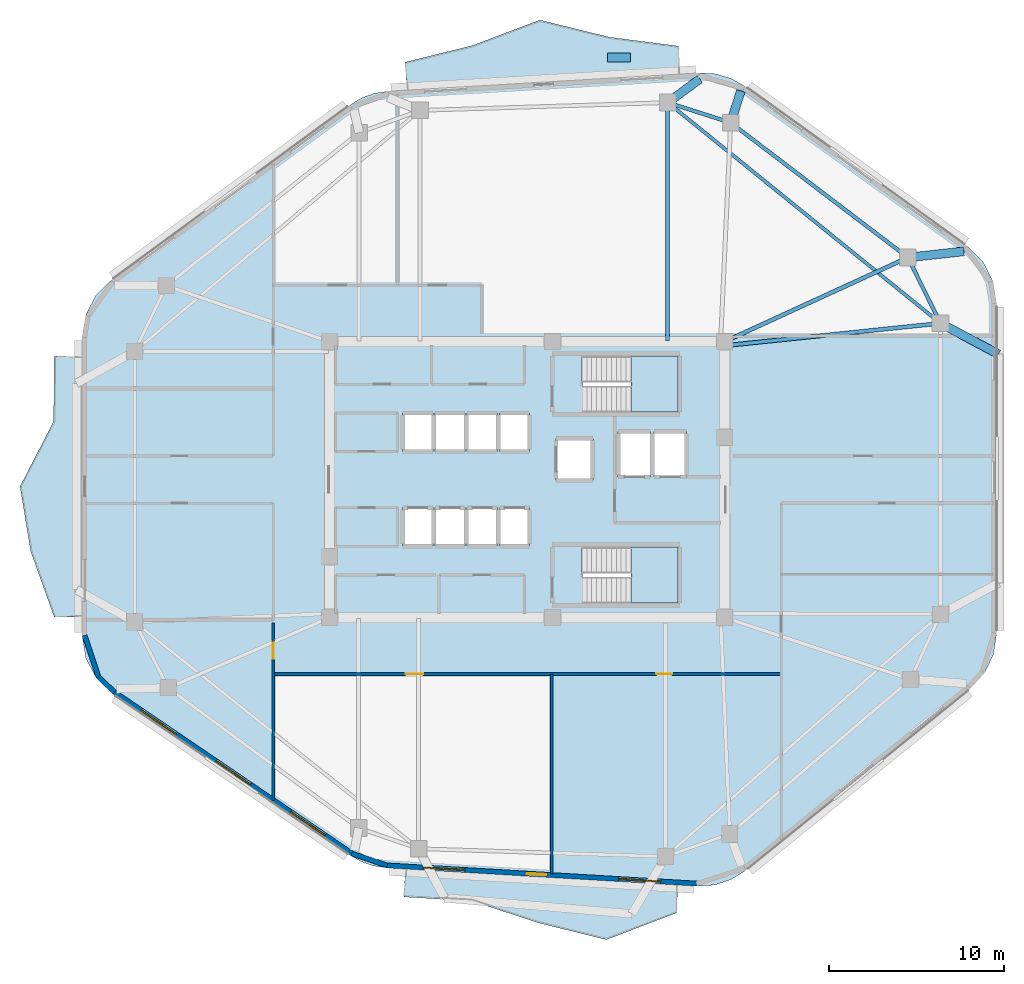
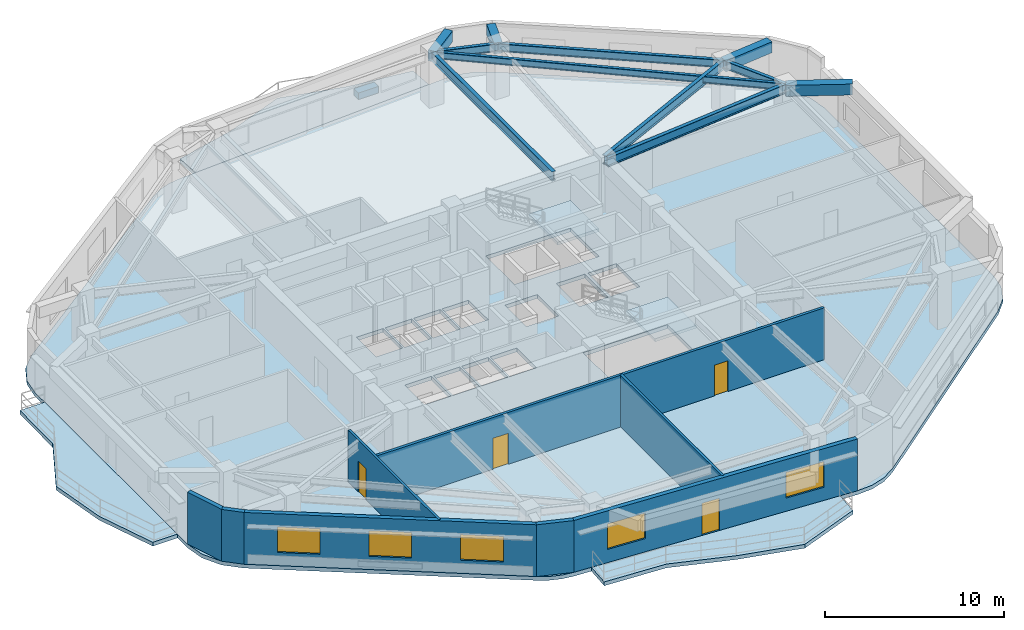
# One storey, part 2 of 9: 11 beams, 8 walls, 6 slabs, 5 windows, 4 doors, 1 plate, 9 openings, 2 elements without a shape of their own.
"""IFC4 building model written with IfcOpenShell, lengths in metres."""

from ifc_helpers import new_model, si_unit, direction, frame, frame_2d, origin, origin_2d, place, context, subcontext, project, spatial, polyline, rectangle, i_section, outline, extrude, material, layer, layer_set, material_profile, profile_set, type_object, element, fill, aggregate, save


model = new_model("IFC4")

# Units and contexts
model_context = context("Model", 3, precision=1e-05, world=origin(), true_north=direction((0.0, 1.0)))
body_context = subcontext(model_context, "Body", "Model", "MODEL_VIEW")
ifc_project = project(units=[si_unit("LENGTHUNIT", "METRE"), si_unit("AREAUNIT", "SQUARE_METRE"), si_unit("VOLUMEUNIT", "CUBIC_METRE"), si_unit("PLANEANGLEUNIT", "RADIAN"), si_unit("MASSUNIT", "GRAM", prefix="KILO")], contexts=[model_context])

# Site, building, storey
site_placement = place(None, origin())
site = spatial("IfcSite", under=ifc_project, at=site_placement, CompositionType="ELEMENT")
building_placement = place(site_placement, origin())
building = spatial("IfcBuilding", under=site, at=building_placement, Name="Zulverin Broadcast Headquarters", CompositionType="ELEMENT")
storey_placement = place(building_placement, frame((0.0, 0.0, 212.39990234375)))
storey = spatial("IfcBuildingStorey", under=building, at=storey_placement, Name="L54", CompositionType="ELEMENT", Elevation=212.39990234375)

# Beams
ifc_material_1 = material(Name="Concrete C40/50", Category="concrete")
ifc_material_profile_1 = material_profile(ifc_material_1, rectangle(XDim=0.5, YDim=0.75, at=origin_2d()), Name="Concrete C40/50", Category="concrete")
ifc_profile_set_1 = profile_set([ifc_material_profile_1], Name="Concrete C40/50")
beam_type_1 = type_object("IfcBeamType", Name="BM-RC-500x750", PredefinedType="BEAM", material=ifc_profile_set_1)
beam_1_placement = place(storey_placement, frame((58.738037109375, 37.877685546875, 3.1650390625), z_axis=(0.994004521098, 0.109338977669, 0.0), x_axis=(-0.109338977669, 0.994004521098, 0.0)))
element("IfcBeam", 1, at=beam_1_placement, inside=storey, type_object=beam_type_1, Name="L55 Plate Overhang Back-Spanned Beam OVR-07", PredefinedType="BEAM", context=body_context, shape_type="SweptSolid", body=[
    extrude(rectangle(XDim=0.5, YDim=0.75, at=origin_2d()), origin(), (0.0, 0.0, 1.0), 3.213134765625),
])
beam_2_placement = place(storey_placement, frame((48.62158203125, 45.574951171875, 3.1650390625), z_axis=(0.306395409062, 0.951904329912, 0.0), x_axis=(-0.951904329912, 0.306395409062, 0.0)))
element("IfcBeam", 2, at=beam_2_placement, inside=storey, type_object=beam_type_1, Name="L55 Plate Overhang Back-Spanned Beam OVR-08", PredefinedType="BEAM", context=body_context, shape_type="SweptSolid", body=[
    extrude(rectangle(XDim=0.5, YDim=0.75, at=origin_2d()), origin(), (0.0, 0.0, 1.0), 1.90283203125),
])
beam_3_placement = place(storey_placement, frame((45.027587890625, 46.7236328125, 3.1650390625), z_axis=(0.806251175009, 0.591573362143, 0.0), x_axis=(-0.591573362143, 0.806251175009, 0.0)))
element("IfcBeam", 3, at=beam_3_placement, inside=storey, type_object=beam_type_1, Name="L55 Plate Overhang Back-Spanned Beam OVR-09", PredefinedType="BEAM", context=body_context, shape_type="SweptSolid", body=[
    extrude(rectangle(XDim=0.5, YDim=0.75, at=origin_2d()), origin(), (0.0, 0.0, 1.0), 2.27099609375),
])
beam_4_placement = place(storey_placement, frame((60.60009765625, 34.12158203125, 3.1650390625), z_axis=(0.882538495397, -0.470240155817, 0.0), x_axis=(0.470240155817, 0.882538495397, 0.0)))
element("IfcBeam", 4, at=beam_4_placement, inside=storey, type_object=beam_type_1, Name="L55 Balcony Column-Framed Cantilever BAL_E-2", PredefinedType="BEAM", context=body_context, shape_type="SweptSolid", body=[
    extrude(rectangle(XDim=0.5, YDim=0.75, at=origin_2d()), origin(), (0.0, 0.0, 1.0), 3.75),
])
ifc_material_2 = material(Name="Structural steel S355JR", Category="steel")
ifc_material_profile_2 = material_profile(ifc_material_2, i_section(OverallWidth=0.19287109375, OverallDepth=0.46728515625, WebThickness=0.011474609375, FlangeThickness=0.01953125, at=origin_2d()), Name="Structural steel S355JR", Category="steel")
ifc_profile_set_2 = profile_set([ifc_material_profile_2], Name="Structural steel S355JR")
beam_type_2 = type_object("IfcBeamType", Name="BM-UB-457", PredefinedType="JOIST", material=ifc_profile_set_2)
beam_5_placement = place(storey_placement, frame((60.60009765625, 34.12158203125, 3.306396484375), z_axis=(-0.777349017335, 0.629069555175, 0.0), x_axis=(-0.629069555175, -0.777349017335, 0.0)))
element("IfcBeam", 5, at=beam_5_placement, inside=storey, type_object=beam_type_2, Name="L54 Chordal Floor Joist J-02", PredefinedType="JOIST", context=body_context, shape_type="SweptSolid", body=[
    extrude(i_section(OverallWidth=0.19287109375, OverallDepth=0.46728515625, WebThickness=0.011474609375, FlangeThickness=0.01953125, at=origin_2d()), origin(), (0.0, 0.0, 1.0), 20.032958984375),
])
ifc_material_profile_3 = material_profile(ifc_material_2, i_section(OverallWidth=0.2119140625, OverallDepth=0.54443359375, WebThickness=0.0126953125, FlangeThickness=0.021240234375, at=origin_2d()), Name="Structural steel S355JR", Category="steel")
ifc_profile_set_3 = profile_set([ifc_material_profile_3], Name="Structural steel S355JR")
beam_type_3 = type_object("IfcBeamType", Name="BM-UB-533", PredefinedType="SPANDREL", material=ifc_profile_set_3)
beam_6_placement = place(storey_placement, frame((60.60009765625, 34.12158203125, 3.267822265625), z_axis=(-0.444159471033, 0.895947746407, 0.0), x_axis=(-0.895947746407, -0.444159471033, 0.0)))
element("IfcBeam", 6, at=beam_6_placement, inside=storey, type_object=beam_type_3, Name="L54 Perimeter Spandrel Beam SP-06", PredefinedType="SPANDREL", context=body_context, shape_type="SweptSolid", body=[
    extrude(i_section(OverallWidth=0.2119140625, OverallDepth=0.54443359375, WebThickness=0.0126953125, FlangeThickness=0.021240234375, at=origin_2d()), origin(), (0.0, 0.0, 1.0), 4.1923828125),
])
beam_7_placement = place(storey_placement, frame((58.738037109375, 37.877685546875, 3.267822265625), z_axis=(-0.795830102505, 0.60551998146, 0.0), x_axis=(-0.60551998146, -0.795830102505, 0.0)))
element("IfcBeam", 7, at=beam_7_placement, inside=storey, type_object=beam_type_3, Name="L54 Perimeter Spandrel Beam SP-07", PredefinedType="SPANDREL", context=body_context, shape_type="SweptSolid", body=[
    extrude(i_section(OverallWidth=0.2119140625, OverallDepth=0.54443359375, WebThickness=0.0126953125, FlangeThickness=0.021240234375, at=origin_2d()), origin(), (0.0, 0.0, 1.0), 12.7119140625),
])
beam_8_placement = place(storey_placement, frame((48.62158203125, 45.574951171875, 3.267822265625), z_axis=(-0.952531523781, 0.304439971428, 0.0), x_axis=(-0.304439971428, -0.952531523781, 0.0)))
element("IfcBeam", 8, at=beam_8_placement, inside=storey, type_object=beam_type_3, Name="L54 Perimeter Spandrel Beam SP-08", PredefinedType="SPANDREL", context=body_context, shape_type="SweptSolid", body=[
    extrude(i_section(OverallWidth=0.2119140625, OverallDepth=0.54443359375, WebThickness=0.0126953125, FlangeThickness=0.021240234375, at=origin_2d()), origin(), (0.0, 0.0, 1.0), 3.773193359375),
])
ifc_material_profile_4 = material_profile(ifc_material_2, i_section(OverallWidth=0.230224609375, OverallDepth=0.6171875, WebThickness=0.01318359375, FlangeThickness=0.022216796875, at=origin_2d()), Name="Structural steel S355JR", Category="steel")
ifc_profile_set_4 = profile_set([ifc_material_profile_4], Name="Structural steel S355JR")
beam_type_4 = type_object("IfcBeamType", Name="BM-UB-610", PredefinedType="BEAM", material=ifc_profile_set_4)
beam_9_placement = place(storey_placement, frame((48.324951171875, 32.85009765625, 3.2314453125), z_axis=(0.994678169641, 0.103030766473, 0.0), x_axis=(-0.103030766473, 0.994678169641, 0.0)))
element("IfcBeam", 9, at=beam_9_placement, inside=storey, type_object=beam_type_4, Name="L54 Radial Primary Floor Beam RB-06", PredefinedType="BEAM", context=body_context, shape_type="SweptSolid", body=[
    extrude(i_section(OverallWidth=0.230224609375, OverallDepth=0.6171875, WebThickness=0.01318359375, FlangeThickness=0.022216796875, at=origin_2d()), origin(), (0.0, 0.0, 1.0), 12.3408203125),
])
beam_10_placement = place(storey_placement, frame((48.27490234375, 33.074951171875, 3.2314453125), z_axis=(0.90883007293, 0.417166511764, 0.0), x_axis=(-0.417166511764, 0.90883007293, 0.0)))
element("IfcBeam", 10, at=beam_10_placement, inside=storey, type_object=beam_type_4, Name="L54 Radial Primary Floor Beam RB-07", PredefinedType="BEAM", context=body_context, shape_type="SweptSolid", body=[
    extrude(i_section(OverallWidth=0.230224609375, OverallDepth=0.6171875, WebThickness=0.01318359375, FlangeThickness=0.022216796875, at=origin_2d()), origin(), (0.0, 0.0, 1.0), 11.5126953125),
])
beam_11_placement = place(storey_placement, frame((45.027587890625, 33.125, 3.2314453125), z_axis=(0.0, 1.0, 0.0), x_axis=(-1.0, 0.0, 0.0)))
element("IfcBeam", 11, at=beam_11_placement, inside=storey, type_object=beam_type_4, Name="L54 Radial Primary Floor Beam RB-09", PredefinedType="BEAM", context=body_context, shape_type="SweptSolid", body=[
    extrude(i_section(OverallWidth=0.230224609375, OverallDepth=0.6171875, WebThickness=0.01318359375, FlangeThickness=0.022216796875, at=origin_2d()), origin(), (0.0, 0.0, 1.0), 13.5986328125),
])

# Plate
ifc_material_3 = material(Name="Precast concrete C45/55", Category="concrete")
ifc_layer_1 = layer(ifc_material_3, 0.449951171875, Name="Precast concrete C45/55", Category="concrete")
ifc_layer_set_1 = layer_set([ifc_layer_1], Name="Precast concrete C45/55")
plate_type = type_object("IfcPlateType", Name="PT-01_PRECAST_GFRC_TREE_PLANTER", PredefinedType="USERDEFINED", material=ifc_layer_set_1)
plate_placement = place(storey_placement, frame((42.239013671875, 49.298095703125, -0.0048828125), z_axis=(0.0, 0.0, 1.0), x_axis=(1.0, 0.0, 0.0)))
element("IfcPlate", 12, at=plate_placement, inside=storey, type_object=plate_type, Name="L54 Precast GFRC Tree Planter BAL_N", ObjectType="PLANTER", PredefinedType="USERDEFINED", context=body_context, shape_type="SweptSolid", body=[
    extrude(rectangle(XDim=1.300048828125, YDim=0.5, at=origin_2d()), origin(), (0.0, 0.0, 1.0), 0.449951171875),
])

# Slabs
ifc_layer_2 = layer(ifc_material_1, 0.260009765625, Name="Concrete C40/50", Category="concrete")
ifc_layer_set_2 = layer_set([ifc_layer_2], Name="Concrete C40/50")
slab_type_1 = type_object("IfcSlabType", Name="SLB-BAL-260", PredefinedType="FLOOR", material=ifc_layer_set_2)
slab_1_placement = place(storey_placement, frame((0.0, 0.0, -0.260009765625)))
element("IfcSlab", 13, at=slab_1_placement, inside=storey, type_object=slab_type_1, Name="L54 Cantilevered Planted Balcony Slab BAL_N", PredefinedType="FLOOR", context=body_context, shape_type="SweptSolid", body=[
    extrude(outline(polyline([(30.1337890625, 47.43408203125), (45.739990234375, 48.35205078125), (45.64599609375, 49.94921875), (41.700927734375, 50.459228515625), (37.728515625, 51.43701171875), (33.898681640625, 49.98486328125), (30.039794921875, 49.03125), (30.1337890625, 47.43408203125)])), origin(), (0.0, 0.0, 1.0), 0.260009765625),
])
slab_2_placement = place(storey_placement, frame((0.0, 0.0, -0.260009765625)))
element("IfcSlab", 14, at=slab_2_placement, inside=storey, type_object=slab_type_1, Name="L54 Cantilevered Planted Balcony Slab BAL_W", PredefinedType="FLOOR", context=body_context, shape_type="SweptSolid", body=[
    extrude(outline(polyline([(11.60009765625, 17.36767578125), (11.60009765625, 32.240234375), (10.0, 32.240234375), (9.96923828125, 28.522216796875), (8.050048828125, 24.803955078125), (8.6650390625, 21.085693359375), (10.0, 17.36767578125), (11.60009765625, 17.36767578125)])), origin(), (0.0, 0.0, 1.0), 0.260009765625),
])
slab_3_placement = place(storey_placement, frame((0.0, 0.0, -0.260009765625)))
element("IfcSlab", 15, at=slab_3_placement, inside=storey, type_object=slab_type_1, Name="L54 Cantilevered Planted Balcony Slab BAL_S", PredefinedType="FLOOR", context=body_context, shape_type="SweptSolid", body=[
    extrude(outline(polyline([(45.61083984375, 2.0556640625), (30.055419921875, 2.970703125), (29.96142578125, 1.373291015625), (33.850341796875, 1.14453125), (37.678466796875, -0.1162109375), (41.525146484375, -1.063720703125), (45.51708984375, 0.45849609375), (45.61083984375, 2.0556640625)])), origin(), (0.0, 0.0, 1.0), 0.260009765625),
])

# Stair, slab
stair_type = type_object("IfcStairType", Name="ST-CORE-1500", PredefinedType="HALF_TURN_STAIR", material=ifc_material_1)
stair_1_placement = place(storey_placement, origin())
stair_1 = element("IfcStair", 16, at=stair_1_placement, inside=storey, type_object=stair_type, Name="L54 Core Exit Stair ST-1", PredefinedType="HALF_TURN_STAIR")
ifc_layer_3 = layer(ifc_material_1, 0.199951171875, Name="Concrete C40/50", Category="concrete")
ifc_layer_set_3 = layer_set([ifc_layer_3], Name="Concrete C40/50")
slab_type_2 = type_object("IfcSlabType", Name="SLB-ST-LND200", PredefinedType="LANDING", material=ifc_layer_set_3)
slab_4_placement = place(storey_placement, frame((0.0, 0.0, 1.7001953125)))
slab_4 = element("IfcSlab", 17, at=slab_4_placement, type_object=slab_type_2, Name="ST-1 landing 1", PredefinedType="LANDING", context=body_context, shape_type="SweptSolid", body=[
    extrude(outline(polyline([(42.929931640625, 29.050048828125), (45.60009765625, 29.050048828125), (45.60009765625, 32.25), (42.929931640625, 32.25), (42.929931640625, 29.050048828125)])), origin(), (0.0, 0.0, 1.0), 0.199951171875),
])
aggregate(stair_1, [slab_4])

stair_2_placement = place(storey_placement, origin())
stair_2 = element("IfcStair", 18, at=stair_2_placement, inside=storey, type_object=stair_type, Name="L54 Core Exit Stair ST-2", PredefinedType="HALF_TURN_STAIR")
slab_5_placement = place(storey_placement, frame((0.0, 0.0, 1.7001953125)))
slab_5 = element("IfcSlab", 19, at=slab_5_placement, type_object=slab_type_2, Name="ST-2 landing 1", PredefinedType="LANDING", context=body_context, shape_type="SweptSolid", body=[
    extrude(outline(polyline([(42.929931640625, 18.14990234375), (45.60009765625, 18.14990234375), (45.60009765625, 21.35009765625), (42.929931640625, 21.35009765625), (42.929931640625, 18.14990234375)])), origin(), (0.0, 0.0, 1.0), 0.199951171875),
])
aggregate(stair_2, [slab_5])

# Slab
ifc_layer_4 = layer(ifc_material_1, 0.260009765625, Name="Concrete C40/50", Category="concrete")
ifc_layer_set_4 = layer_set([ifc_layer_4], Name="Concrete C40/50")
slab_type_3 = type_object("IfcSlabType", Name="SLB-TWR-260", PredefinedType="FLOOR", material=ifc_layer_set_4)
slab_6_placement = place(storey_placement, frame((0.0, 0.0, -0.260009765625)))
element("IfcSlab", 20, at=slab_6_placement, inside=storey, type_object=slab_type_3, Name="L54 Main Structural Floor Slab", PredefinedType="FLOOR", context=body_context, shape_type="SweptSolid", body=[
    extrude(outline(polyline([(26.943603515625, 3.72021484375), (27.570068359375, 3.3720703125), (28.24853515625, 3.14111328125), (28.95751953125, 3.03515625), (46.708984375, 1.990966796875), (47.690185546875, 2.05419921875), (48.626220703125, 2.35498046875), (49.46044921875, 2.875), (62.316650390625, 13.28125), (63.11572265625, 14.1533203125), (63.625, 15.220703125), (63.800048828125, 16.390380859375), (63.800048828125, 35.26611328125), (63.602294921875, 36.50830078125), (63.02880859375, 37.627197265625), (62.13623046875, 38.51318359375), (49.408935546875, 47.67041015625), (48.61669921875, 48.113525390625), (47.74462890625, 48.36669921875), (46.837890625, 48.41650390625), (29.03564453125, 47.369384765625), (28.27978515625, 47.251708984375), (27.560302734375, 46.9921875), (26.9033203125, 46.6005859375), (13.23291015625, 36.564697265625), (12.356201171875, 35.680908203125), (11.793701171875, 34.570068359375), (11.60009765625, 33.34033203125), (11.60009765625, 16.267578125), (11.808837890625, 14.991943359375), (12.413818359375, 13.849365234375), (13.351318359375, 12.95947265625), (26.943603515625, 3.72021484375)]), holes=[polyline([(40.155029296875, 30.75), (40.130126953125, 30.75), (40.130126953125, 32.25), (45.60009765625, 32.25), (45.60009765625, 29.050048828125), (40.155029296875, 29.050048828125), (40.155029296875, 30.75)]), polyline([(40.155029296875, 19.85009765625), (40.130126953125, 19.85009765625), (40.130126953125, 21.35009765625), (45.60009765625, 21.35009765625), (45.60009765625, 18.14990234375), (40.155029296875, 18.14990234375), (40.155029296875, 19.85009765625)]), polyline([(29.89990234375, 21.39990234375), (31.6201171875, 21.39990234375), (31.6201171875, 23.60009765625), (29.89990234375, 23.60009765625), (29.89990234375, 21.39990234375)]), polyline([(31.739990234375, 21.39990234375), (33.4599609375, 21.39990234375), (33.4599609375, 23.60009765625), (31.739990234375, 23.60009765625), (31.739990234375, 21.39990234375)]), polyline([(33.580078125, 21.39990234375), (35.300048828125, 21.39990234375), (35.300048828125, 23.60009765625), (33.580078125, 23.60009765625), (33.580078125, 21.39990234375)]), polyline([(35.419921875, 21.39990234375), (37.139892578125, 21.39990234375), (37.139892578125, 23.60009765625), (35.419921875, 23.60009765625), (35.419921875, 21.39990234375)]), polyline([(29.89990234375, 26.800048828125), (31.6201171875, 26.800048828125), (31.6201171875, 29.0), (29.89990234375, 29.0), (29.89990234375, 26.800048828125)]), polyline([(31.739990234375, 26.800048828125), (33.4599609375, 26.800048828125), (33.4599609375, 29.0), (31.739990234375, 29.0), (31.739990234375, 26.800048828125)]), polyline([(33.580078125, 26.800048828125), (35.300048828125, 26.800048828125), (35.300048828125, 29.0), (33.580078125, 29.0), (33.580078125, 26.800048828125)]), polyline([(35.419921875, 26.800048828125), (37.139892578125, 26.800048828125), (37.139892578125, 29.0), (35.419921875, 29.0), (35.419921875, 26.800048828125)]), polyline([(42.199951171875, 25.35009765625), (44.050048828125, 25.35009765625), (44.050048828125, 27.949951171875), (42.199951171875, 27.949951171875), (42.199951171875, 25.35009765625)]), polyline([(44.25, 25.35009765625), (46.10009765625, 25.35009765625), (46.10009765625, 27.949951171875), (44.25, 27.949951171875), (44.25, 25.35009765625)]), polyline([(38.64990234375, 25.14990234375), (40.75, 25.14990234375), (40.75, 27.550048828125), (38.64990234375, 27.550048828125), (38.64990234375, 25.14990234375)])]), origin(), (0.0, 0.0, 1.0), 0.260009765625),
])

# Wall, openings, door, windows
ifc_material_4 = material(Name="Insulated pale-metal clad concrete spandrel C40/50", Category="concrete")
ifc_layer_5 = layer(ifc_material_4, 0.280029296875, Name="Insulated pale-metal clad concrete spandrel C40/50", Category="concrete")
ifc_layer_set_5 = layer_set([ifc_layer_5], Name="Insulated pale-metal clad concrete spandrel C40/50")
wall_type_1 = type_object("IfcWallType", Name="WL-EXT-280", PredefinedType="STANDARD", material=ifc_layer_set_5)
wall_1_placement = place(storey_placement, frame((28.965576171875, 3.175048828125, 0.0), z_axis=(0.0, 0.0, 1.0), x_axis=(0.998274467859, -0.058720412304, 0.0)))
wall_1 = element("IfcWall", 21, at=wall_1_placement, inside=storey, type_object=wall_type_1, Name="L54 Pale-Metal Clad Spandrel Wall 1", PredefinedType="STANDARD", context=body_context, shape_type="SweptSolid", body=[
    extrude(rectangle(XDim=17.782470703125, YDim=0.280029296875, at=frame_2d((8.89111328125, 0.0))), origin(), (0.0, 0.0, 1.0), 3.5400390625),
])
opening_1_placement = place(wall_1_placement, frame((8.041015625, 0.0, 0.0)))
opening_1 = element("IfcOpeningElement", 22, at=opening_1_placement, cuts=wall_1, Name="Opening D-L54-TR1", PredefinedType="OPENING", context=body_context, shape_type="SweptSolid", body=[
    extrude(rectangle(XDim=1.10009765625, YDim=2.199951171875, at=frame_2d((0.550048828125, 1.10009765625))), frame((0.0, 0.14990234375, 0.0), z_axis=(0.0, -1.0, 0.0), x_axis=(1.0, 0.0, 0.0)), (0.0, 0.0, 1.0), 0.300048828125),
])
opening_2_placement = place(wall_1_placement, frame((2.096923828125, 0.0, 0.89990234375)))
opening_2 = element("IfcOpeningElement", 23, at=opening_2_placement, cuts=wall_1, Name="Opening W-L54-E11", PredefinedType="OPENING", context=body_context, shape_type="SweptSolid", body=[
    extrude(rectangle(XDim=2.39990234375, YDim=1.75, at=frame_2d((1.199951171875, 0.875))), frame((0.0, 0.14990234375, 0.0), z_axis=(0.0, -1.0, 0.0), x_axis=(1.0, 0.0, 0.0)), (0.0, 0.0, 1.0), 0.300048828125),
])
opening_3_placement = place(wall_1_placement, frame((13.28515625, 0.0, 0.89990234375)))
opening_3 = element("IfcOpeningElement", 24, at=opening_3_placement, cuts=wall_1, Name="Opening W-L54-E12", PredefinedType="OPENING", context=body_context, shape_type="SweptSolid", body=[
    extrude(rectangle(XDim=2.39990234375, YDim=1.75, at=frame_2d((1.199951171875, 0.875))), frame((0.0, 0.14990234375, 0.0), z_axis=(0.0, -1.0, 0.0), x_axis=(1.0, 0.0, 0.0)), (0.0, 0.0, 1.0), 0.300048828125),
])
ifc_material_5 = material(Name="Thermally broken aluminium glazed", Category="aluminium")
door_type_1 = type_object("IfcDoorType", Name="DR-TERR-1100", OperationType="SINGLE_SWING_RIGHT", PredefinedType="DOOR", material=ifc_material_5)
door_1_placement = place(opening_1_placement, origin())
door_1 = element("IfcDoor", 25, at=door_1_placement, inside=storey, type_object=door_type_1, Name="L54 Planted Terrace Glazed Access Door 1", OperationType="SINGLE_SWING_RIGHT", OverallHeight=2.199951171875, OverallWidth=1.10009765625, PredefinedType="DOOR", context=body_context, shape_type="SweptSolid", body=[
    extrude(rectangle(XDim=1.10009765625, YDim=2.199951171875, at=frame_2d((0.550048828125, 1.10009765625))), frame((0.0, 0.02490234375, 0.0), z_axis=(0.0, -1.0, 0.0), x_axis=(1.0, 0.0, 0.0)), (0.0, 0.0, 1.0), 0.050048828125),
])
fill(opening_1, door_1)
ifc_material_6 = material(Name="Pale anodized aluminium frame with solar-control low-E double glazing", Category="aluminium")
window_type = type_object("IfcWindowType", Name="WIN-RIB-2400", PartitioningType="SINGLE_PANEL", PredefinedType="WINDOW", material=ifc_material_6)
window_1_placement = place(opening_2_placement, origin())
window_1 = element("IfcWindow", 26, at=window_1_placement, inside=storey, type_object=window_type, Name="L54 Ribbon Glazing Window 1 1", OverallHeight=1.75, OverallWidth=2.39990234375, PartitioningType="SINGLE_PANEL", PredefinedType="WINDOW", context=body_context, shape_type="SweptSolid", body=[
    extrude(rectangle(XDim=2.39990234375, YDim=1.75, at=frame_2d((1.199951171875, 0.875))), frame((0.0, 0.030029296875, 0.0), z_axis=(0.0, -1.0, 0.0), x_axis=(1.0, 0.0, 0.0)), (0.0, 0.0, 1.0), 0.06005859375),
])
fill(opening_2, window_1)
window_2_placement = place(opening_3_placement, origin())
window_2 = element("IfcWindow", 27, at=window_2_placement, inside=storey, type_object=window_type, Name="L54 Ribbon Glazing Window 1 2", OverallHeight=1.75, OverallWidth=2.39990234375, PartitioningType="SINGLE_PANEL", PredefinedType="WINDOW", context=body_context, shape_type="SweptSolid", body=[
    extrude(rectangle(XDim=2.39990234375, YDim=1.75, at=frame_2d((1.199951171875, 0.875))), frame((0.0, 0.030029296875, 0.0), z_axis=(0.0, -1.0, 0.0), x_axis=(1.0, 0.0, 0.0)), (0.0, 0.0, 1.0), 0.06005859375),
])
fill(opening_3, window_2)

# Wall, openings, windows
wall_2_placement = place(storey_placement, frame((13.429931640625, 13.0751953125, 0.0), z_axis=(0.0, 0.0, 1.0), x_axis=(0.827025402003, -0.562164552815, 0.0)))
wall_2 = element("IfcWall", 28, at=wall_2_placement, inside=storey, type_object=wall_type_1, Name="L54 Pale-Metal Clad Spandrel Wall 8", PredefinedType="STANDARD", context=body_context, shape_type="SweptSolid", body=[
    extrude(rectangle(XDim=16.43505859375, YDim=0.280029296875, at=frame_2d((8.217529296875, 0.0))), origin(), (0.0, 0.0, 1.0), 3.5400390625),
])
opening_4_placement = place(wall_2_placement, frame((1.87255859375, 0.0, 0.89990234375)))
opening_4 = element("IfcOpeningElement", 29, at=opening_4_placement, cuts=wall_2, Name="Opening W-L54-E81", PredefinedType="OPENING", context=body_context, shape_type="SweptSolid", body=[
    extrude(rectangle(XDim=2.39990234375, YDim=1.75, at=frame_2d((1.199951171875, 0.875))), frame((0.0, 0.14990234375, 0.0), z_axis=(0.0, -1.0, 0.0), x_axis=(1.0, 0.0, 0.0)), (0.0, 0.0, 1.0), 0.300048828125),
])
opening_5_placement = place(wall_2_placement, frame((7.017578125, 0.0, 0.89990234375)))
opening_5 = element("IfcOpeningElement", 30, at=opening_5_placement, cuts=wall_2, Name="Opening W-L54-E82", PredefinedType="OPENING", context=body_context, shape_type="SweptSolid", body=[
    extrude(rectangle(XDim=2.39990234375, YDim=1.75, at=frame_2d((1.199951171875, 0.875))), frame((0.0, 0.14990234375, 0.0), z_axis=(0.0, -1.0, 0.0), x_axis=(1.0, 0.0, 0.0)), (0.0, 0.0, 1.0), 0.300048828125),
])
opening_6_placement = place(wall_2_placement, frame((12.16259765625, 0.0, 0.89990234375)))
opening_6 = element("IfcOpeningElement", 31, at=opening_6_placement, cuts=wall_2, Name="Opening W-L54-E83", PredefinedType="OPENING", context=body_context, shape_type="SweptSolid", body=[
    extrude(rectangle(XDim=2.39990234375, YDim=1.75, at=frame_2d((1.199951171875, 0.875))), frame((0.0, 0.14990234375, 0.0), z_axis=(0.0, -1.0, 0.0), x_axis=(1.0, 0.0, 0.0)), (0.0, 0.0, 1.0), 0.300048828125),
])
window_3_placement = place(opening_4_placement, origin())
window_3 = element("IfcWindow", 32, at=window_3_placement, inside=storey, type_object=window_type, Name="L54 Ribbon Glazing Window 8 1", OverallHeight=1.75, OverallWidth=2.39990234375, PartitioningType="SINGLE_PANEL", PredefinedType="WINDOW", context=body_context, shape_type="SweptSolid", body=[
    extrude(rectangle(XDim=2.39990234375, YDim=1.75, at=frame_2d((1.199951171875, 0.875))), frame((0.0, 0.030029296875, 0.0), z_axis=(0.0, -1.0, 0.0), x_axis=(1.0, 0.0, 0.0)), (0.0, 0.0, 1.0), 0.06005859375),
])
fill(opening_4, window_3)
window_4_placement = place(opening_5_placement, origin())
window_4 = element("IfcWindow", 33, at=window_4_placement, inside=storey, type_object=window_type, Name="L54 Ribbon Glazing Window 8 2", OverallHeight=1.75, OverallWidth=2.39990234375, PartitioningType="SINGLE_PANEL", PredefinedType="WINDOW", context=body_context, shape_type="SweptSolid", body=[
    extrude(rectangle(XDim=2.39990234375, YDim=1.75, at=frame_2d((1.199951171875, 0.875))), frame((0.0, 0.030029296875, 0.0), z_axis=(0.0, -1.0, 0.0), x_axis=(1.0, 0.0, 0.0)), (0.0, 0.0, 1.0), 0.06005859375),
])
fill(opening_5, window_4)
window_5_placement = place(opening_6_placement, origin())
window_5 = element("IfcWindow", 34, at=window_5_placement, inside=storey, type_object=window_type, Name="L54 Ribbon Glazing Window 8 3", OverallHeight=1.75, OverallWidth=2.39990234375, PartitioningType="SINGLE_PANEL", PredefinedType="WINDOW", context=body_context, shape_type="SweptSolid", body=[
    extrude(rectangle(XDim=2.39990234375, YDim=1.75, at=frame_2d((1.199951171875, 0.875))), frame((0.0, 0.030029296875, 0.0), z_axis=(0.0, -1.0, 0.0), x_axis=(1.0, 0.0, 0.0)), (0.0, 0.0, 1.0), 0.06005859375),
])
fill(opening_6, window_5)

# Walls
wall_3_placement = place(storey_placement, frame((11.732666015625, 16.312255859375, 0.0), z_axis=(0.0, 0.0, 1.0), x_axis=(0.318924860995, -0.947780002447, 0.0)))
element("IfcWall", 35, at=wall_3_placement, inside=storey, type_object=wall_type_1, Name="L54 Wind-Shaped Corner Spandrel Wall 7-1", PredefinedType="STANDARD", context=body_context, shape_type="SweptSolid", body=[
    extrude(rectangle(XDim=2.551513671875, YDim=0.280029296875, at=frame_2d((1.27587890625, 0.0))), origin(), (0.0, 0.0, 1.0), 3.5400390625),
])
wall_4_placement = place(storey_placement, frame((12.510009765625, 13.950927734375, 0.0), z_axis=(0.0, 0.0, 1.0), x_axis=(0.725371815671, -0.688357268451, 0.0)))
element("IfcWall", 36, at=wall_4_placement, inside=storey, type_object=wall_type_1, Name="L54 Wind-Shaped Corner Spandrel Wall 7-2", PredefinedType="STANDARD", context=body_context, shape_type="SweptSolid", body=[
    extrude(rectangle(XDim=1.292724609375, YDim=0.280029296875, at=frame_2d((0.646484375, 0.0))), origin(), (0.0, 0.0, 1.0), 3.5400390625),
])
wall_5_placement = place(storey_placement, frame((26.98876953125, 3.852783203125, 0.0), z_axis=(0.0, 0.0, 1.0), x_axis=(0.946713959835, -0.322075578479, 0.0)))
element("IfcWall", 37, at=wall_5_placement, inside=storey, type_object=wall_type_1, Name="L54 Wind-Shaped Corner Spandrel Wall 8-1", PredefinedType="STANDARD", context=body_context, shape_type="SweptSolid", body=[
    extrude(rectangle(XDim=2.126953125, YDim=0.280029296875, at=frame_2d((1.0634765625, 0.0))), origin(), (0.0, 0.0, 1.0), 3.5400390625),
])
ifc_material_7 = material(Name="Fire-rated gypsum stud partition", Category="gypsum")
ifc_layer_6 = layer(ifc_material_7, 0.14990234375, Name="Fire-rated gypsum stud partition", Category="gypsum")
ifc_layer_set_6 = layer_set([ifc_layer_6], Name="Fire-rated gypsum stud partition")
wall_type_2 = type_object("IfcWallType", Name="WL-PART-150", PredefinedType="PARTITIONING", material=ifc_layer_set_6)
wall_6_placement = place(storey_placement, frame((38.39990234375, 2.684814453125, 0.0), z_axis=(0.0, 0.0, 1.0), x_axis=(0.0, 1.0, 0.0)))
element("IfcWall", 38, at=wall_6_placement, inside=storey, type_object=wall_type_2, Name="L54 Room Partition Wall RP-02", PredefinedType="PARTITIONING", context=body_context, shape_type="SweptSolid", body=[
    extrude(rectangle(XDim=11.415283203125, YDim=0.14990234375, at=frame_2d((5.70751953125, 0.0))), origin(), (0.0, 0.0, 1.0), 3.5400390625),
])

# Wall, opening, door
wall_7_placement = place(storey_placement, frame((22.5, 6.880615234375, 0.0), z_axis=(0.0, 0.0, 1.0), x_axis=(0.0, 1.0, 0.0)))
wall_7 = element("IfcWall", 39, at=wall_7_placement, inside=storey, type_object=wall_type_2, Name="L54 Gallery Partition Wall CG-05", PredefinedType="PARTITIONING", context=body_context, shape_type="SweptSolid", body=[
    extrude(rectangle(XDim=10.119384765625, YDim=0.14990234375, at=frame_2d((5.0595703125, 0.0))), origin(), (0.0, 0.0, 1.0), 3.5400390625),
])
opening_7_placement = place(wall_7_placement, frame((8.099365234375, 0.0, 0.0)))
opening_7 = element("IfcOpeningElement", 40, at=opening_7_placement, cuts=wall_7, Name="Opening D-L54-05", PredefinedType="OPENING", context=body_context, shape_type="SweptSolid", body=[
    extrude(rectangle(XDim=0.89990234375, YDim=2.10009765625, at=frame_2d((0.449951171875, 1.050048828125))), frame((0.0, 0.0849609375, 0.0), z_axis=(0.0, -1.0, 0.0), x_axis=(1.0, 0.0, 0.0)), (0.0, 0.0, 1.0), 0.169921875),
])
ifc_material_8 = material(Name="Fire-rated hardwood veneer timber leaf", Category="wood")
door_type_2 = type_object("IfcDoorType", Name="DR-ROOM-900", OperationType="SINGLE_SWING_RIGHT", PredefinedType="DOOR", material=ifc_material_8)
door_2_placement = place(opening_7_placement, origin())
door_2 = element("IfcDoor", 41, at=door_2_placement, inside=storey, type_object=door_type_2, Name="L54 Meeting Room Door", OperationType="SINGLE_SWING_LEFT", OverallHeight=2.10009765625, OverallWidth=0.89990234375, PredefinedType="DOOR", context=body_context, shape_type="SweptSolid", body=[
    extrude(rectangle(XDim=0.89990234375, YDim=2.10009765625, at=frame_2d((0.449951171875, 1.050048828125))), frame((0.0, 0.02490234375, 0.0), z_axis=(0.0, -1.0, 0.0), x_axis=(1.0, 0.0, 0.0)), (0.0, 0.0, 1.0), 0.050048828125),
])
fill(opening_7, door_2)

# Wall, openings, doors
ifc_material_9 = material(Name="Fire-rated acoustic stud wall", Category="gypsum")
ifc_layer_7 = layer(ifc_material_9, 0.175048828125, Name="Fire-rated acoustic stud wall", Category="gypsum")
ifc_layer_set_7 = layer_set([ifc_layer_7], Name="Fire-rated acoustic stud wall")
wall_type_3 = type_object("IfcWallType", Name="WL-PART-175", PredefinedType="PARTITIONING", material=ifc_layer_set_7)
wall_8_placement = place(storey_placement, frame((22.5, 14.10009765625, 0.0), z_axis=(0.0, 0.0, 1.0), x_axis=(1.0, 0.0, 0.0)))
wall_8 = element("IfcWall", 42, at=wall_8_placement, inside=storey, type_object=wall_type_3, Name="L54 Gallery Partition Wall CG-08", PredefinedType="PARTITIONING", context=body_context, shape_type="SweptSolid", body=[
    extrude(rectangle(XDim=29.0, YDim=0.175048828125, at=frame_2d((14.5, 0.0))), origin(), (0.0, 0.0, 1.0), 3.5400390625),
])
opening_8_placement = place(wall_8_placement, frame((7.570068359375, 0.0, 0.0)))
opening_8 = element("IfcOpeningElement", 43, at=opening_8_placement, cuts=wall_8, Name="Opening D-L54-03", PredefinedType="OPENING", context=body_context, shape_type="SweptSolid", body=[
    extrude(rectangle(XDim=1.0, YDim=2.1201171875, at=frame_2d((0.5, 1.06005859375))), frame((0.0, 0.097412109375, 0.0), z_axis=(0.0, -1.0, 0.0), x_axis=(1.0, 0.0, 0.0)), (0.0, 0.0, 1.0), 0.195068359375),
])
opening_9_placement = place(wall_8_placement, frame((21.8798828125, 0.0, 0.0)))
opening_9 = element("IfcOpeningElement", 44, at=opening_9_placement, cuts=wall_8, Name="Opening D-L54-04", PredefinedType="OPENING", context=body_context, shape_type="SweptSolid", body=[
    extrude(rectangle(XDim=0.89990234375, YDim=2.10009765625, at=frame_2d((0.449951171875, 1.050048828125))), frame((0.0, 0.097412109375, 0.0), z_axis=(0.0, -1.0, 0.0), x_axis=(1.0, 0.0, 0.0)), (0.0, 0.0, 1.0), 0.195068359375),
])
ifc_material_10 = material(Name="Hardwood veneer acoustic leaf", Category="wood")
door_type_3 = type_object("IfcDoorType", Name="DR-OFF-1000", OperationType="SINGLE_SWING_LEFT", PredefinedType="DOOR", material=ifc_material_10)
door_3_placement = place(opening_8_placement, origin())
door_3 = element("IfcDoor", 45, at=door_3_placement, inside=storey, type_object=door_type_3, Name="L54 Admin Office Door", OperationType="SINGLE_SWING_LEFT", OverallHeight=2.1201171875, OverallWidth=1.0, PredefinedType="DOOR", context=body_context, shape_type="SweptSolid", body=[
    extrude(rectangle(XDim=1.0, YDim=2.1201171875, at=frame_2d((0.5, 1.06005859375))), frame((0.0, 0.02490234375, 0.0), z_axis=(0.0, -1.0, 0.0), x_axis=(1.0, 0.0, 0.0)), (0.0, 0.0, 1.0), 0.050048828125),
])
fill(opening_8, door_3)
door_4_placement = place(opening_9_placement, origin())
door_4 = element("IfcDoor", 46, at=door_4_placement, inside=storey, type_object=door_type_2, Name="L54 Boardroom Door", OperationType="SINGLE_SWING_RIGHT", OverallHeight=2.10009765625, OverallWidth=0.89990234375, PredefinedType="DOOR", context=body_context, shape_type="SweptSolid", body=[
    extrude(rectangle(XDim=0.89990234375, YDim=2.10009765625, at=frame_2d((0.449951171875, 1.050048828125))), frame((0.0, 0.02490234375, 0.0), z_axis=(0.0, -1.0, 0.0), x_axis=(1.0, 0.0, 0.0)), (0.0, 0.0, 1.0), 0.050048828125),
])
fill(opening_9, door_4)

save(model, "model.ifc")
